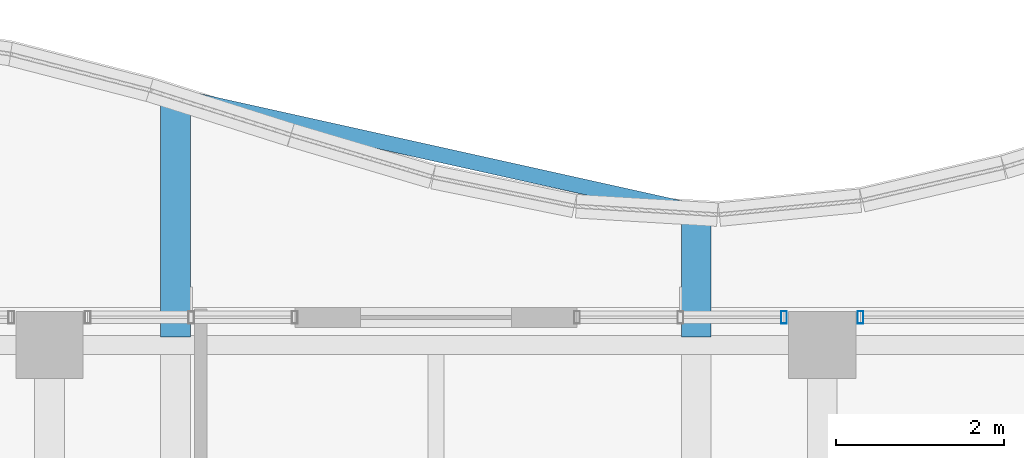
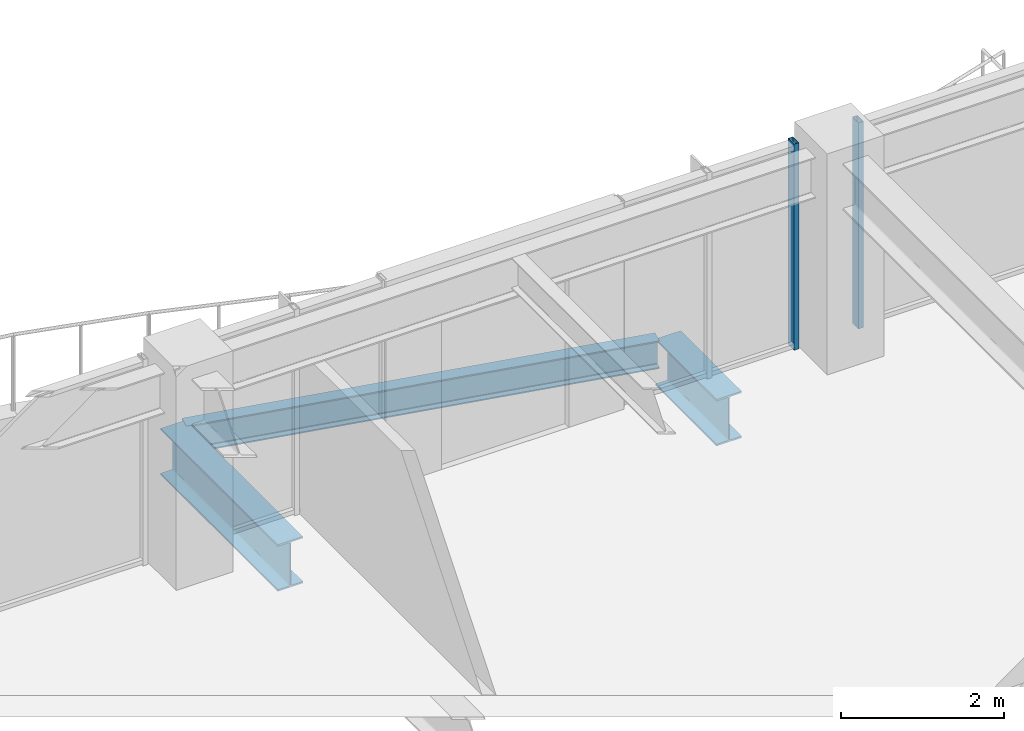
# One storey, part 18 of 36: 3 beams, 2 members, 2 elements without a shape of their own.
"""IFC4 building model written with IfcOpenShell, lengths in metres."""

from ifc_helpers import new_model, si_unit, direction, frame, origin, origin_2d, place, context, subcontext, project, spatial, hollow_rectangle, i_section, extrude, material, material_profile, profile_set, type_object, element, aggregate, save


model = new_model("IFC4")

# Units and contexts
model_context = context("Model", 3, precision=1e-05, world=origin(), true_north=direction((0.0, 1.0)))
body_context = subcontext(model_context, "Body", "Model", "MODEL_VIEW")
ifc_project = project(units=[si_unit("LENGTHUNIT", "METRE"), si_unit("AREAUNIT", "SQUARE_METRE"), si_unit("VOLUMEUNIT", "CUBIC_METRE"), si_unit("PLANEANGLEUNIT", "RADIAN"), si_unit("MASSUNIT", "GRAM", prefix="KILO")], contexts=[model_context])

# Site, building, storey
site_placement = place(None, origin())
site = spatial("IfcSite", under=ifc_project, at=site_placement, CompositionType="ELEMENT")
building_placement = place(site_placement, origin())
building = spatial("IfcBuilding", under=site, at=building_placement, Name="Kolvaren Belvedere", CompositionType="ELEMENT")
storey_placement = place(building_placement, frame((0.0, 0.0, 196.5)))
storey = spatial("IfcBuildingStorey", under=building, at=storey_placement, Name="L57", CompositionType="ELEMENT", Elevation=196.5)

# Beams
ifc_material_1 = material(Name="Structural steel ASTM A992 Grade 50", Category="steel")
ifc_material_profile_1 = material_profile(ifc_material_1, i_section(OverallWidth=0.35498046875, OverallDepth=0.696044921875, WebThickness=0.015380859375, FlangeThickness=0.02490234375, FilletRadius=0.02197265625, at=origin_2d()), Name="W27X146")
ifc_profile_set_1 = profile_set([ifc_material_profile_1], Name="Structural steel ASTM A992 Grade 50")
beam_type_1 = type_object("IfcBeamType", Name="BM-CANT-BAL", PredefinedType="BEAM", material=ifc_profile_set_1)
beam_1_placement = place(storey_placement, frame((-3.10009765625, 20.044921875, -0.568115234375), z_axis=(0.0, 1.0, 0.0), x_axis=(-1.0, 0.0, 0.0)))
element("IfcBeam", 1, at=beam_1_placement, inside=storey, type_object=beam_type_1, Name="L57 Planted Balcony Cantilever BAL-N-1", PredefinedType="BEAM", context=body_context, shape_type="SweptSolid", body=[
    extrude(i_section(OverallWidth=0.35498046875, OverallDepth=0.696044921875, WebThickness=0.015380859375, FlangeThickness=0.02490234375, FilletRadius=0.02197265625, at=origin_2d()), origin(), (0.0, 0.0, 1.0), 2.8701171875),
])
beam_2_placement = place(storey_placement, frame((3.10009765625, 20.044921875, -0.568115234375), z_axis=(0.0, 1.0, 0.0), x_axis=(-1.0, 0.0, 0.0)))
element("IfcBeam", 2, at=beam_2_placement, inside=storey, type_object=beam_type_1, Name="L57 Planted Balcony Cantilever BAL-N-2", PredefinedType="BEAM", context=body_context, shape_type="SweptSolid", body=[
    extrude(i_section(OverallWidth=0.35498046875, OverallDepth=0.696044921875, WebThickness=0.015380859375, FlangeThickness=0.02490234375, FilletRadius=0.02197265625, at=origin_2d()), origin(), (0.0, 0.0, 1.0), 1.49267578125),
])
ifc_material_2 = material(Name="Structural steel ASTM A992 Grade 50", Category="steel")
ifc_material_profile_2 = material_profile(ifc_material_2, i_section(OverallWidth=0.180908203125, OverallDepth=0.4169921875, WebThickness=0.010986328125, FlangeThickness=0.018310546875, FilletRadius=0.013916015625, at=origin_2d()), Name="W16X57")
ifc_profile_set_2 = profile_set([ifc_material_profile_2], Name="Structural steel ASTM A992 Grade 50")
beam_type_2 = type_object("IfcBeamType", Name="BM-EDGE-W16X57", PredefinedType="BEAM", material=ifc_profile_set_2)
beam_3_placement = place(storey_placement, frame((-2.96337890625, 22.884765625, -0.428466796875), z_axis=(0.97620125078, -0.216866590272, 0.0), x_axis=(0.216866590272, 0.97620125078, 0.0)))
element("IfcBeam", 3, at=beam_3_placement, inside=storey, type_object=beam_type_2, Name="L57 Balcony Tip Header Beam BAL-N", PredefinedType="BEAM", context=body_context, shape_type="SweptSolid", body=[
    extrude(i_section(OverallWidth=0.180908203125, OverallDepth=0.4169921875, WebThickness=0.010986328125, FlangeThickness=0.018310546875, FilletRadius=0.013916015625, at=origin_2d()), origin(), (0.0, 0.0, 1.0), 6.0712890625),
])

# Curtain wall, member
ifc_material_3 = material(Name="Anodised pale-metal aluminium AA 6063-T6", Category="aluminium")
curtain_wall_type = type_object("IfcCurtainWallType", Name="CW-Z5-HIGH", PredefinedType="NOTDEFINED", material=ifc_material_3)
curtain_wall_1_placement = place(storey_placement, origin())
curtain_wall_1 = element("IfcCurtainWall", 4, at=curtain_wall_1_placement, inside=storey, type_object=curtain_wall_type, Name="L57 Unitised Curtain Wall FCW-L57-N2-B1", PredefinedType="NOTDEFINED")
ifc_material_4 = material(Name="Anodised pale-metal aluminium AA 6063-T6", Category="aluminium")
ifc_material_profile_3 = material_profile(ifc_material_4, hollow_rectangle(XDim=0.070068359375, YDim=0.14990234375, WallThickness=0.004150390625, at=origin_2d()), Name="ALU-MUL-150X70")
ifc_profile_set_3 = profile_set([ifc_material_profile_3], Name="Anodised pale-metal aluminium AA 6063-T6")
member_type = type_object("IfcMemberType", Name="CW-MUL-150", PredefinedType="MULLION", material=ifc_profile_set_3)
member_1_placement = place(storey_placement, frame((4.14501953125, 20.280029296875, 0.0), z_axis=(0.0, 0.0, 1.0), x_axis=(1.0, 0.0, 0.0)))
member_1 = element("IfcMember", 5, at=member_1_placement, type_object=member_type, Name="FCW-L57-N2-B1 Unitised Mullion 3", PredefinedType="MULLION", context=body_context, shape_type="SweptSolid", body=[
    extrude(hollow_rectangle(XDim=0.070068359375, YDim=0.14990234375, WallThickness=0.004150390625, at=origin_2d()), origin(), (0.0, 0.0, 1.0), 3.080078125),
])
aggregate(curtain_wall_1, [member_1])

curtain_wall_2_placement = place(storey_placement, origin())
curtain_wall_2 = element("IfcCurtainWall", 6, at=curtain_wall_2_placement, inside=storey, type_object=curtain_wall_type, Name="L57 Unitised Curtain Wall FCW-L57-N2-B2", PredefinedType="NOTDEFINED")
member_2_placement = place(storey_placement, frame((5.054931640625, 20.280029296875, 0.0), z_axis=(0.0, 0.0, 1.0), x_axis=(1.0, 0.0, 0.0)))
member_2 = element("IfcMember", 7, at=member_2_placement, type_object=member_type, Name="FCW-L57-N2-B2 Unitised Mullion 1", PredefinedType="MULLION", context=body_context, shape_type="SweptSolid", body=[
    extrude(hollow_rectangle(XDim=0.070068359375, YDim=0.14990234375, WallThickness=0.004150390625, at=origin_2d()), origin(), (0.0, 0.0, 1.0), 3.080078125),
])
aggregate(curtain_wall_2, [member_2])

save(model, "model.ifc")
